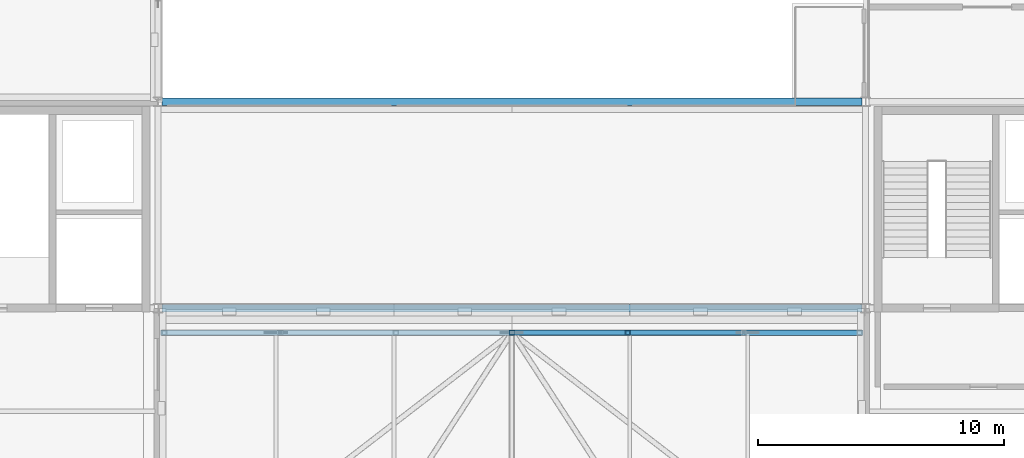
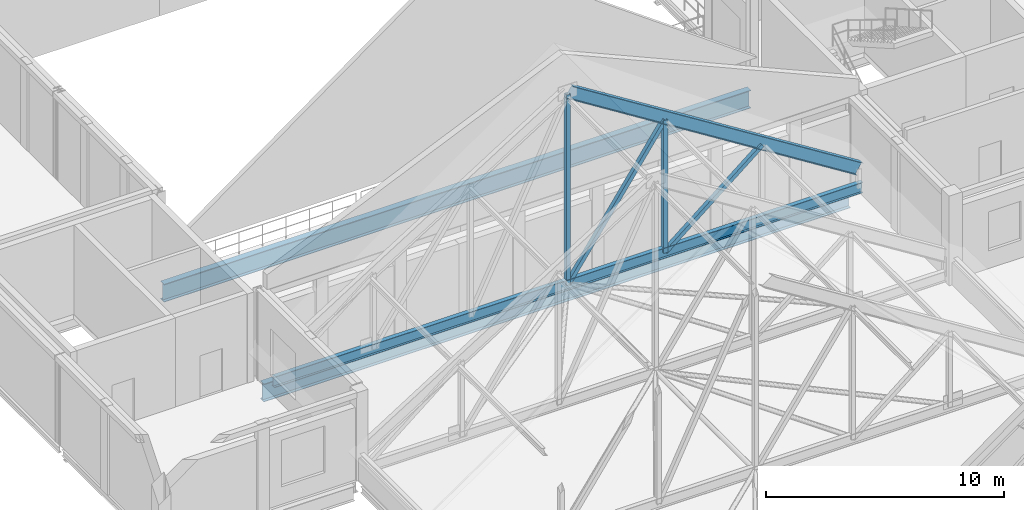
# One storey, part 13 of 26: 4 beams, 4 members.
"""IFC4 building model written with IfcOpenShell, lengths in metres."""

from ifc_helpers import new_model, si_unit, direction, frame, origin, origin_2d, place, context, subcontext, project, spatial, hollow_rectangle, i_section, extrude, material, material_profile, profile_set, type_object, element, save


model = new_model("IFC4")

# Units and contexts
model_context = context("Model", 3, precision=1e-05, world=origin(), true_north=direction((0.0, 1.0)))
body_context = subcontext(model_context, "Body", "Model", "MODEL_VIEW")
ifc_project = project(units=[si_unit("LENGTHUNIT", "METRE"), si_unit("AREAUNIT", "SQUARE_METRE"), si_unit("VOLUMEUNIT", "CUBIC_METRE"), si_unit("PLANEANGLEUNIT", "RADIAN"), si_unit("MASSUNIT", "GRAM", prefix="KILO")], contexts=[model_context])

# Site, building, storey
site_placement = place(None, origin())
site = spatial("IfcSite", under=ifc_project, at=site_placement, CompositionType="ELEMENT")
building_placement = place(site_placement, origin())
building = spatial("IfcBuilding", under=site, at=building_placement, Name="Lornevale Opera House", CompositionType="ELEMENT")
storey_placement = place(building_placement, frame((0.0, 0.0, 19.800048828125)))
storey = spatial("IfcBuildingStorey", under=building, at=storey_placement, Name="L05", CompositionType="ELEMENT", Elevation=19.800048828125)

# Beams
ifc_material = material(Name="Structural Steel CSA G40.21 Grade 350W (350 MPa)", Category="steel")
ifc_material_profile_1 = material_profile(ifc_material, i_section(OverallWidth=0.2099609375, OverallDepth=0.537109375, WebThickness=0.010986328125, FlangeThickness=0.017333984375, at=origin_2d()), Name="W530x101")
ifc_profile_set_1 = profile_set([ifc_material_profile_1], Name="Structural Steel CSA G40.21 Grade 350W (350 MPa)")
beam_type_1 = type_object("IfcBeamType", Name="Auditorium Truss Bottom Chord W530x101", PredefinedType="BEAM", material=ifc_profile_set_1)
beam_1_placement = place(storey_placement, frame((67.300048828125, 57.800048828125, 0.349853515625), z_axis=(1.0, 0.0, 0.0), x_axis=(0.0, 1.0, 0.0)))
element("IfcBeam", 1, at=beam_1_placement, inside=storey, type_object=beam_type_1, Name="Auditorium Truss Bottom Chord W530x101 2966", PredefinedType="BEAM", context=body_context, shape_type="SweptSolid", body=[
    extrude(i_section(OverallWidth=0.2099609375, OverallDepth=0.537109375, WebThickness=0.010986328125, FlangeThickness=0.017333984375, at=origin_2d()), origin(), (0.0, 0.0, 1.0), 28.599853515625),
])
ifc_material_profile_2 = material_profile(ifc_material, i_section(OverallWidth=0.22900390625, OverallDepth=0.612060546875, WebThickness=0.011962890625, FlangeThickness=0.01953125, at=origin_2d()), Name="W610x125")
ifc_profile_set_2 = profile_set([ifc_material_profile_2], Name="Structural Steel CSA G40.21 Grade 350W (350 MPa)")
beam_type_2 = type_object("IfcBeamType", Name="Auditorium Truss Top Chord W610x125", PredefinedType="BEAM", material=ifc_profile_set_2)
beam_2_placement = place(storey_placement, frame((81.64990234375, 57.800048828125, 10.22314453125), z_axis=(0.846355912416, 0.0, -0.532617751788), x_axis=(0.0, 1.0, 0.0)))
element("IfcBeam", 2, at=beam_2_placement, inside=storey, type_object=beam_type_2, Name="Auditorium Truss Top Chord W610x125 2968", PredefinedType="BEAM", context=body_context, shape_type="SweptSolid", body=[
    extrude(i_section(OverallWidth=0.22900390625, OverallDepth=0.612060546875, WebThickness=0.011962890625, FlangeThickness=0.01953125, at=origin_2d()), origin(), (0.0, 0.0, 1.0), 16.65966796875),
])

# Members
ifc_material_profile_3 = material_profile(ifc_material, hollow_rectangle(XDim=0.202880859375, YDim=0.202880859375, WallThickness=0.010986328125, at=origin_2d()), Name="HSS203x203x11")
ifc_profile_set_3 = profile_set([ifc_material_profile_3], Name="Structural Steel CSA G40.21 Grade 350W (350 MPa)")
member_type = type_object("IfcMemberType", Name="Auditorium Truss Web HSS203x203x11", PredefinedType="STRUT", material=ifc_profile_set_3)
member_1_placement = place(storey_placement, frame((81.60009765625, 57.800048828125, 0.349853515625), z_axis=(0.0, 0.0, 1.0), x_axis=(1.0, 0.0, 0.0)))
element("IfcMember", 3, at=member_1_placement, inside=storey, type_object=member_type, Name="Auditorium Truss Web HSS203x203x11 0047", PredefinedType="STRUT", context=body_context, shape_type="SweptSolid", body=[
    extrude(hollow_rectangle(XDim=0.202880859375, YDim=0.202880859375, WallThickness=0.010986328125, at=origin_2d()), origin(), (0.0, 0.0, 1.0), 9.773193359375),
])
member_2_placement = place(storey_placement, frame((86.316650390625, 57.800048828125, 0.349853515625), z_axis=(0.0, 0.0, 1.0), x_axis=(1.0, 0.0, 0.0)))
element("IfcMember", 4, at=member_2_placement, inside=storey, type_object=member_type, Name="Auditorium Truss Web HSS203x203x11 0049", PredefinedType="STRUT", context=body_context, shape_type="SweptSolid", body=[
    extrude(hollow_rectangle(XDim=0.202880859375, YDim=0.202880859375, WallThickness=0.010986328125, at=origin_2d()), origin(), (0.0, 0.0, 1.0), 6.8154296875),
])
member_3_placement = place(storey_placement, frame((81.60009765625, 57.800048828125, 0.349853515625), z_axis=(0.56906139323, 0.0, 0.822295038739), x_axis=(0.0, 1.0, 0.0)))
element("IfcMember", 5, at=member_3_placement, inside=storey, type_object=member_type, Name="Auditorium Truss Web HSS203x203x11 0050", PredefinedType="STRUT", context=body_context, shape_type="SweptSolid", body=[
    extrude(hollow_rectangle(XDim=0.202880859375, YDim=0.202880859375, WallThickness=0.010986328125, at=origin_2d()), origin(), (0.0, 0.0, 1.0), 8.288330078125),
])
member_4_placement = place(storey_placement, frame((86.316650390625, 57.800048828125, 0.349853515625), z_axis=(0.774044763738, 0.0, 0.633130874093), x_axis=(0.0, 1.0, 0.0)))
element("IfcMember", 6, at=member_4_placement, inside=storey, type_object=member_type, Name="Auditorium Truss Web HSS203x203x11 0052", PredefinedType="STRUT", context=body_context, shape_type="SweptSolid", body=[
    extrude(hollow_rectangle(XDim=0.202880859375, YDim=0.202880859375, WallThickness=0.010986328125, at=origin_2d()), origin(), (0.0, 0.0, 1.0), 6.093505859375),
])

# Beams
ifc_material_profile_4 = material_profile(ifc_material, i_section(OverallWidth=0.305908203125, OverallDepth=0.9189453125, WebThickness=0.017333984375, FlangeThickness=0.02783203125, at=origin_2d()), Name="W920x253")
ifc_profile_set_4 = profile_set([ifc_material_profile_4], Name="Structural Steel CSA G40.21 Grade 350W (350 MPa)")
beam_type_3 = type_object("IfcBeamType", Name="Steel Stagehouse Girder W920x253", PredefinedType="USERDEFINED", material=ifc_profile_set_4)
for number, where, z_axis, x_axis, name in (
    (7, (67.349609375, 58.800048828125, -0.79443359375), (1.0, 0.0, 0.0), (0.0, 1.0, 0.0), "Steel Stagehouse Girder W920x253 2739"),
    (8, (67.349609375, 67.199951171875, -0.7646484375), (1.0, 0.0, 0.0), (0.0, 1.0, 0.0), "Steel Stagehouse Girder W920x253 2746"),
):
    element("IfcBeam", number, at=place(storey_placement, frame(where, z_axis=z_axis, x_axis=x_axis)), inside=storey, type_object=beam_type_3, Name=name, ObjectType="GIRDER", PredefinedType="USERDEFINED", context=body_context, shape_type="SweptSolid", body=[
        extrude(i_section(OverallWidth=0.305908203125, OverallDepth=0.9189453125, WebThickness=0.017333984375, FlangeThickness=0.02783203125, at=origin_2d()), origin(), (0.0, 0.0, 1.0), 28.5009765625),
    ])

save(model, "model.ifc")
